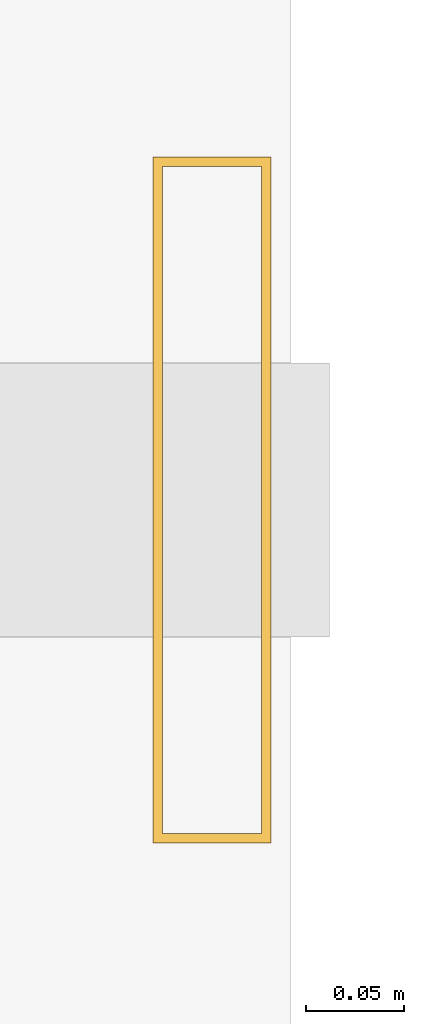
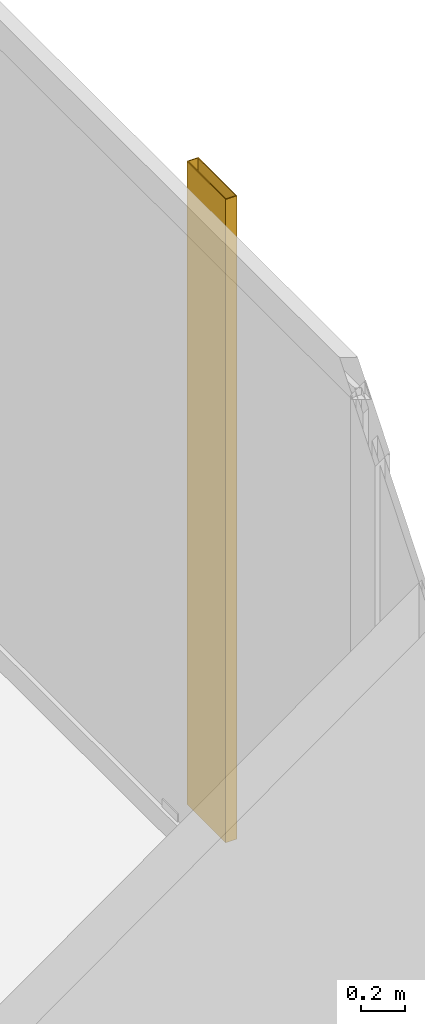
# One storey, part 28 of 28: 1 shading device.
"""IFC4 building model written with IfcOpenShell, lengths in metres."""

from ifc_helpers import new_model, si_unit, direction, frame, origin, origin_2d, place, context, subcontext, project, spatial, hollow_rectangle, extrude, material, material_profile, profile_set, type_object, element, save


model = new_model("IFC4")

# Units and contexts
model_context = context("Model", 3, precision=1e-05, world=origin(), true_north=direction((0.0, 1.0)))
body_context = subcontext(model_context, "Body", "Model", "MODEL_VIEW")
ifc_project = project(units=[si_unit("LENGTHUNIT", "METRE"), si_unit("AREAUNIT", "SQUARE_METRE"), si_unit("VOLUMEUNIT", "CUBIC_METRE"), si_unit("PLANEANGLEUNIT", "RADIAN"), si_unit("MASSUNIT", "GRAM", prefix="KILO")], contexts=[model_context])

# Site, building, storey
site_placement = place(None, origin())
site = spatial("IfcSite", under=ifc_project, at=site_placement, CompositionType="ELEMENT")
building_placement = place(site_placement, origin())
building = spatial("IfcBuilding", under=site, at=building_placement, Name="Kolvaren Waterfront Exchange", CompositionType="ELEMENT")
storey_placement = place(building_placement, frame((0.0, 0.0, 114.5)))
storey = spatial("IfcBuildingStorey", under=building, at=storey_placement, Name="L29", CompositionType="ELEMENT", Elevation=114.5)

# Shading device
ifc_material = material(Name="Anodised bronze aluminium 6063-T6", Category="aluminium")
ifc_material_profile = material_profile(ifc_material, hollow_rectangle(XDim=0.06005859375, YDim=0.35009765625, WallThickness=0.0048828125, at=origin_2d()), Name="BRZ-FIN-350x60x5")
ifc_profile_set = profile_set([ifc_material_profile], Name="Anodised bronze aluminium 6063-T6")
shading_device_type = type_object("IfcShadingDeviceType", Name="ARC-FIN-350", PredefinedType="USERDEFINED", material=ifc_profile_set)
shading_device_placement = place(storey_placement, frame((23.9599609375, 38.0, 0.0), z_axis=(0.0, 0.0, 1.0), x_axis=(1.0, 0.0, 0.0)))
element("IfcShadingDevice", 1, at=shading_device_placement, inside=storey, type_object=shading_device_type, Name="L29 anodised bronze solar shading fin FIN-L29-E3", ObjectType="SOLAR FIN", PredefinedType="USERDEFINED", context=body_context, shape_type="SweptSolid", body=[
    extrude(hollow_rectangle(XDim=0.06005859375, YDim=0.35009765625, WallThickness=0.0048828125, at=origin_2d()), origin(), (0.0, 0.0, 1.0), 3.5400390625),
])

save(model, "model.ifc")
